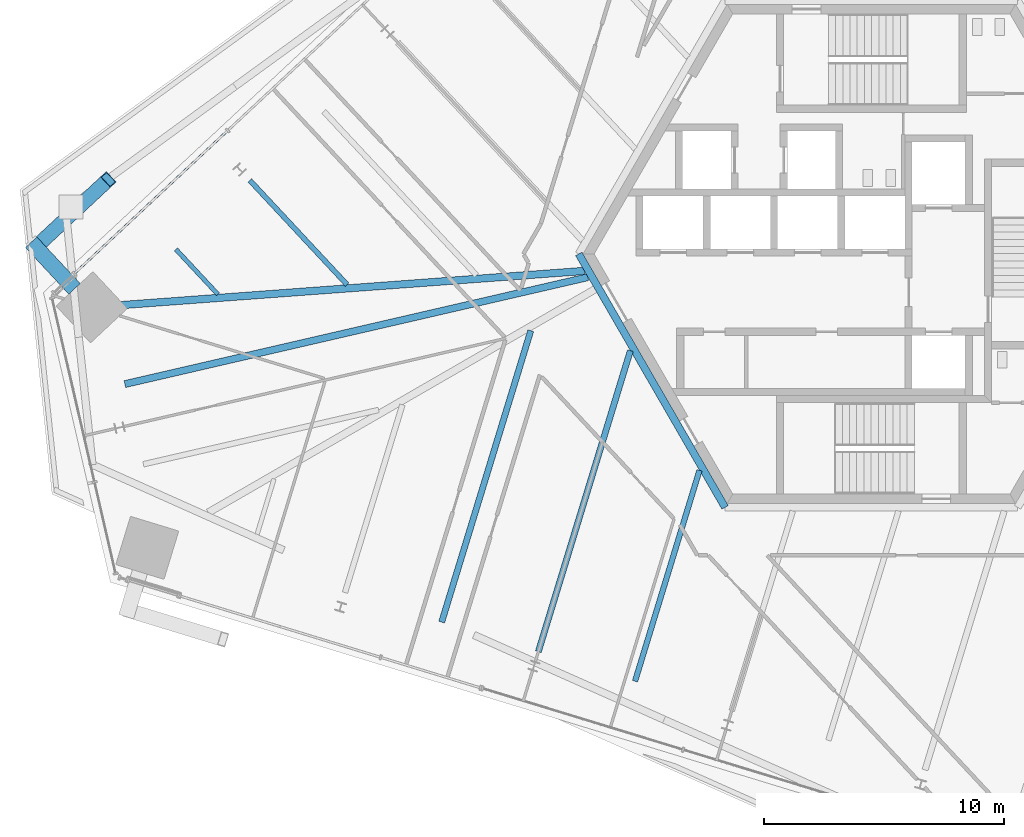
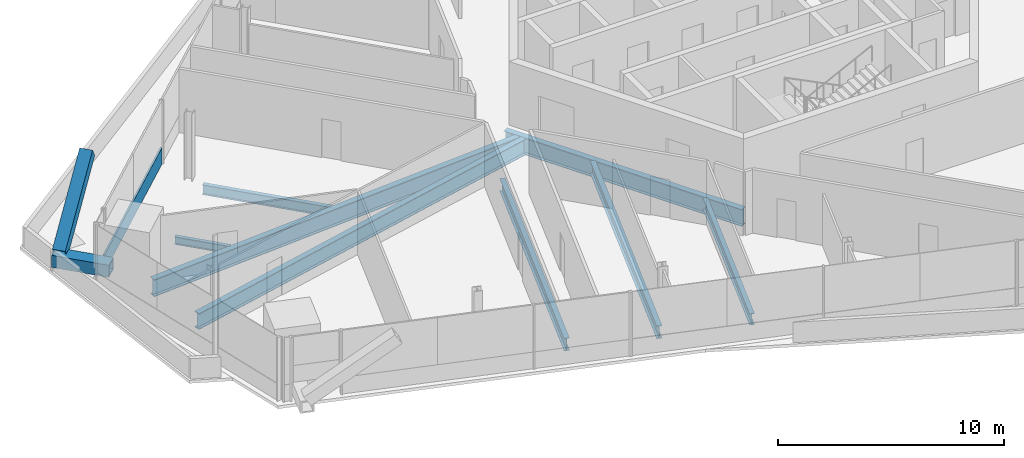
# One storey, part 5 of 25: 8 beams, 3 members, 1 element without a shape of its own.
"""IFC4 building model written with IfcOpenShell, lengths in metres."""

import ifcopenshell
import ifcopenshell.guid

model = None  # the IFC model being written
_history = None  # IfcOwnerHistory: only IFC2X3 demands one
_inside = {}  # id of a spatial element -> (the spatial element, [elements in it])
_under = {}  # id of a project, library or spatial element -> (it, [spatial elements below it])
_declared = {}  # id of a project -> (the project, [libraries it declares])
_typed = {}  # id of a type object -> (the type object, [elements of that type])
_made_of = {}  # id of a material, layer set ... -> (it, [elements and type objects made of it])


def new_model(schema):
    """Start an empty IFC model of exactly this schema.

    Asked for "IFC4X3", IfcOpenShell would pick the latest addendum, in which some entities
    have other attributes; the version numbers below select the first issue.
    IFC2X3 requires an IfcOwnerHistory on every rooted entity: one is made here for all.
    """
    global model, _history
    if schema == "IFC4X3":
        model = ifcopenshell.file(schema_version=(4, 3, 0, 0))
    else:
        model = ifcopenshell.file(schema=schema)
    _inside.clear()
    _under.clear()
    _declared.clear()
    _typed.clear()
    _made_of.clear()
    _history = None
    if model.schema == "IFC2X3":
        org = make("IfcOrganization", Name="unknown")
        user = make(
            "IfcPersonAndOrganization",
            ThePerson=make("IfcPerson", FamilyName="unknown"),
            TheOrganization=org,
        )
        app = make(
            "IfcApplication",
            ApplicationDeveloper=org,
            Version="unknown",
            ApplicationFullName="unknown",
            ApplicationIdentifier="unknown",
        )
        _history = make(
            "IfcOwnerHistory",
            OwningUser=user,
            OwningApplication=app,
            ChangeAction="ADDED",
            CreationDate=0,
        )
    return model


def make(cls, **values):
    """One entity of the class cls with the attributes given. An attribute that is None is left unset."""
    return model.create_entity(
        cls, **{name: value for name, value in values.items() if value is not None}
    )


def rooted(cls, **values):
    """An entity with a GlobalId (a new one), such as an element, a storey or a relation."""
    return make(cls, GlobalId=ifcopenshell.guid.new(), OwnerHistory=_history, **values)


def si_unit(unit_type, name, prefix=None):
    """IfcSIUnit, for example si_unit("LENGTHUNIT", "METRE", prefix="MILLI")."""
    return make("IfcSIUnit", UnitType=unit_type, Prefix=prefix, Name=name)


def assignment(units):
    """IfcUnitAssignment: the units of a project."""
    return None if units is None else make("IfcUnitAssignment", Units=units)


def point(xyz):
    """IfcCartesianPoint."""
    return None if xyz is None else make("IfcCartesianPoint", Coordinates=xyz)


def direction(xyz):
    """IfcDirection."""
    return None if xyz is None else make("IfcDirection", DirectionRatios=xyz)


def frame(location, z_axis=None, x_axis=None):
    """IfcAxis2Placement3D, a coordinate frame: its origin and axes. An axis left out is left unset."""
    return make(
        "IfcAxis2Placement3D",
        Location=point(location),
        Axis=direction(z_axis),
        RefDirection=direction(x_axis),
    )


def frame_2d(location, x_axis=None):
    """IfcAxis2Placement2D, a coordinate frame in the plane: its origin and x axis."""
    return make(
        "IfcAxis2Placement2D", Location=point(location), RefDirection=direction(x_axis)
    )


def origin():
    """The frame at (0, 0, 0) with its axes left unset."""
    return frame((0.0, 0.0, 0.0))


def origin_2d():
    """The frame at (0, 0) in the plane with its x axis left unset."""
    return frame_2d((0.0, 0.0))


def place(relative_to, where):
    """IfcLocalPlacement: puts the frame where relative to a parent placement (None: the world)."""
    return make(
        "IfcLocalPlacement", PlacementRelTo=relative_to, RelativePlacement=where
    )


def context(
    kind, dimensions, precision=None, world=None, true_north=None, identifier=None
):
    """IfcGeometricRepresentationContext, for example the 3D "Model" context."""
    return make(
        "IfcGeometricRepresentationContext",
        ContextIdentifier=identifier,
        ContextType=kind,
        CoordinateSpaceDimension=dimensions,
        Precision=precision,
        WorldCoordinateSystem=world,
        TrueNorth=true_north,
    )


def subcontext(parent, identifier, kind, view, scale=None):
    """IfcGeometricRepresentationSubContext, for example "Body" below "Model"."""
    return make(
        "IfcGeometricRepresentationSubContext",
        ContextIdentifier=identifier,
        ContextType=kind,
        ParentContext=parent,
        TargetScale=scale,
        TargetView=view,
    )


def project(units=None, contexts=None):
    """IfcProject with its units and contexts."""
    return rooted(
        "IfcProject",
        Name="project",
        RepresentationContexts=contexts,
        UnitsInContext=assignment(units),
    )


def spatial(cls, under=None, at=None, **own):
    """A site, building, storey or space (cls), placed at a placement, below another one or the project."""
    s = rooted(cls, ObjectPlacement=at, **own)
    if under is not None:
        _under.setdefault(under.id(), (under, []))[1].append(s)
    return s


def profile(cls, at=None, kind="AREA", **sizes):
    """A parametric profile (cls). Its sizes go by their IFC names, for example OverallWidth=200.0."""
    return make(cls, ProfileType=kind, Position=at, **sizes)


def rectangle(**sizes):
    """IfcRectangleProfileDef."""
    return profile("IfcRectangleProfileDef", **sizes)


def hollow_rectangle(**sizes):
    """IfcRectangleHollowProfileDef."""
    return profile("IfcRectangleHollowProfileDef", **sizes)


def i_section(**sizes):
    """IfcIShapeProfileDef."""
    return profile("IfcIShapeProfileDef", **sizes)


def extrude(swept, where, along, depth):
    """IfcExtrudedAreaSolid: the profile swept, set in the frame where, extruded along a direction by depth."""
    return make(
        "IfcExtrudedAreaSolid",
        SweptArea=swept,
        Position=where,
        ExtrudedDirection=direction(along),
        Depth=depth,
    )


def shape(context_of_items, identifier, shape_type, items):
    """IfcShapeRepresentation: the items that make up one representation, for example the "Body"."""
    return make(
        "IfcShapeRepresentation",
        ContextOfItems=context_of_items,
        RepresentationIdentifier=identifier,
        RepresentationType=shape_type,
        Items=items,
    )


def source(mapping_origin, context_of_items, identifier, shape_type, items):
    """IfcRepresentationMap: a shape defined once, which mapped items show again and again."""
    return make(
        "IfcRepresentationMap",
        MappingOrigin=mapping_origin,
        MappedRepresentation=shape(context_of_items, identifier, shape_type, items),
    )


def transform(
    local_origin,
    x_axis=None,
    y_axis=None,
    z_axis=None,
    scale=None,
    scale2=None,
    scale3=None,
    uniform=True,
):
    """IfcCartesianTransformationOperator3D, or its non-uniform kind. x_axis, y_axis, z_axis: its Axis1, 2, 3."""
    if uniform:
        return make(
            "IfcCartesianTransformationOperator3D",
            Axis1=direction(x_axis),
            Axis2=direction(y_axis),
            LocalOrigin=point(local_origin),
            Scale=scale,
            Axis3=direction(z_axis),
        )
    return make(
        "IfcCartesianTransformationOperator3DnonUniform",
        Axis1=direction(x_axis),
        Axis2=direction(y_axis),
        LocalOrigin=point(local_origin),
        Scale=scale,
        Axis3=direction(z_axis),
        Scale2=scale2,
        Scale3=scale3,
    )


def mapped(mapping_source, mapping_target):
    """IfcMappedItem: shows the shape of a source again, moved by a transform."""
    return make(
        "IfcMappedItem", MappingSource=mapping_source, MappingTarget=mapping_target
    )


def material(Name=None, Category=None):
    """IfcMaterial."""
    return make("IfcMaterial", Name=Name, Category=Category)


def material_profile(
    of_material, cross_section, Name=None, Category=None, Priority=None
):
    """IfcMaterialProfile: a cross section and its material."""
    return make(
        "IfcMaterialProfile",
        Name=Name,
        Material=of_material,
        Profile=cross_section,
        Priority=Priority,
        Category=Category,
    )


def profile_set(profiles, Name=None, composite=None):
    """IfcMaterialProfileSet."""
    return make(
        "IfcMaterialProfileSet",
        Name=Name,
        MaterialProfiles=profiles,
        CompositeProfile=composite,
    )


def made_of(thing, what):
    """Note that an element or type object is made of a material, layer set ...; save() writes the relation."""
    if what is not None:
        _made_of.setdefault(what.id(), (what, []))[1].append(thing)
    return thing


def type_object(cls, material=None, **own):
    """A type object (cls), such as IfcWallType, which elements share."""
    return made_of(rooted(cls, **own), material)


def element(
    cls,
    number,
    at=None,
    inside=None,
    cuts=None,
    type_object=None,
    material=None,
    context=None,
    identifier="Body",
    shape_type=None,
    held_by="IfcProductDefinitionShape",
    body=None,
    shapes=None,
    **own,
):
    """One element of the class cls, such as IfcWall. Its Tag is "e" and its number.

    at: its placement. inside: the storey or other place that contains it. cuts: it is an
    opening in that element (IfcRelVoidsElement). A single representation is given by context,
    identifier, shape_type and body (its items); several are given by shapes. held_by: the class
    of the entity that holds the representations. save() writes the other relations.
    """
    e = rooted(cls, Tag="e%d" % number, ObjectPlacement=at, **own)
    if body is not None:
        shapes = [shape(context, identifier, shape_type, body)]
    if shapes is not None:
        e.Representation = make(held_by, Representations=shapes)
    if inside is not None:
        _inside.setdefault(inside.id(), (inside, []))[1].append(e)
    if cuts is not None:
        rooted(
            "IfcRelVoidsElement", RelatingBuildingElement=cuts, RelatedOpeningElement=e
        )
    if type_object is not None:
        _typed.setdefault(type_object.id(), (type_object, []))[1].append(e)
    return made_of(e, material)


def aggregate(whole, parts):
    """IfcRelAggregates: a whole, such as a stair, and the parts it consists of."""
    return rooted("IfcRelAggregates", RelatingObject=whole, RelatedObjects=parts)


def save(model, path):
    """Write the relations noted so far, then the file.

    IfcRelAggregates (storeys below a building ...), IfcRelContainedInSpatialStructure (elements
    in a storey), IfcRelDefinesByType, IfcRelAssociatesMaterial and IfcRelDeclares: one each for
    every whole, place, type object, material and project.
    """
    for whole, parts in _under.values():
        aggregate(whole, parts)
    for where, things in _inside.values():
        rooted(
            "IfcRelContainedInSpatialStructure",
            RelatedElements=things,
            RelatingStructure=where,
        )
    for kind, things in _typed.values():
        rooted("IfcRelDefinesByType", RelatedObjects=things, RelatingType=kind)
    for what, things in _made_of.values():
        rooted("IfcRelAssociatesMaterial", RelatedObjects=things, RelatingMaterial=what)
    for by, libraries in _declared.values():
        rooted("IfcRelDeclares", RelatingContext=by, RelatedDefinitions=libraries)
    model.write(path)


model = new_model("IFC4")

# Units and contexts
model_context = context("Model", 3, precision=1e-05, world=origin(), true_north=direction((0.0, 1.0)))
body_context = subcontext(model_context, "Body", "Model", "MODEL_VIEW")
ifc_project = project(units=[si_unit("LENGTHUNIT", "METRE"), si_unit("AREAUNIT", "SQUARE_METRE"), si_unit("VOLUMEUNIT", "CUBIC_METRE"), si_unit("PLANEANGLEUNIT", "RADIAN"), si_unit("MASSUNIT", "GRAM", prefix="KILO")], contexts=[model_context])

# Site, building, storey
site_placement = place(None, origin())
site = spatial("IfcSite", under=ifc_project, at=site_placement, CompositionType="ELEMENT")
building_placement = place(site_placement, origin())
building = spatial("IfcBuilding", under=site, at=building_placement, Name="Triune Harvest Tower", CompositionType="ELEMENT")
storey_placement = place(building_placement, frame((0.0, 0.0, 98.300048828125)))
storey = spatial("IfcBuildingStorey", under=building, at=storey_placement, Name="L24", CompositionType="ELEMENT", Elevation=98.300048828125)

# Beams
ifc_material_1 = material(Name="Steel ASTM A992 Gr 50", Category="steel")
ifc_material_profile_1 = material_profile(ifc_material_1, i_section(OverallWidth=0.307373046875, OverallDepth=0.922119140625, WebThickness=0.018310546875, FlangeThickness=0.030029296875, at=origin_2d()), Name="W36x182")
ifc_profile_set_1 = profile_set([ifc_material_profile_1], Name="Steel ASTM A992 Gr 50")
beam_type_1 = type_object("IfcBeamType", Name="HG-2 Hip girder W36x182", PredefinedType="BEAM", material=ifc_profile_set_1)
beam_1_placement = place(storey_placement, frame((-31.451416015625, -2.1455078125, -0.62109375), z_axis=(0.997285605081, 0.073630305565, 0.0), x_axis=(-0.073630305565, 0.997285605081, 0.0)))
element("IfcBeam", 1, at=beam_1_placement, inside=storey, type_object=beam_type_1, Name="beam/L24/HG5", PredefinedType="BEAM", context=body_context, shape_type="SweptSolid", body=[
    extrude(i_section(OverallWidth=0.307373046875, OverallDepth=0.922119140625, WebThickness=0.018310546875, FlangeThickness=0.030029296875, at=origin_2d()), origin(), (0.0, 0.0, 1.0), 19.5595703125),
])
ifc_material_2 = material(Name="Steel ASTM A992 Gr 50", Category="steel")
ifc_material_profile_2 = material_profile(ifc_material_2, i_section(OverallWidth=0.180908203125, OverallDepth=0.41650390625, WebThickness=0.010986328125, FlangeThickness=0.01806640625, at=origin_2d()), Name="W16x57")
ifc_profile_set_2 = profile_set([ifc_material_profile_2], Name="Steel ASTM A992 Gr 50")
beam_type_2 = type_object("IfcBeamType", Name="JT-1 Floor joist W16x57", PredefinedType="JOIST", material=ifc_profile_set_2)
beam_2_placement = place(storey_placement, frame((-28.943359375, 0.193115234375, -0.368408203125), z_axis=(0.682001903783, -0.731350397031, 0.0), x_axis=(0.731350397031, 0.682001903783, 0.0)))
element("IfcBeam", 2, at=beam_2_placement, inside=storey, type_object=beam_type_2, Name="beam/L24/JT24", PredefinedType="JOIST", context=body_context, shape_type="SweptSolid", body=[
    extrude(i_section(OverallWidth=0.180908203125, OverallDepth=0.41650390625, WebThickness=0.010986328125, FlangeThickness=0.01806640625, at=origin_2d()), origin(), (0.0, 0.0, 1.0), 2.557861328125),
])
ifc_material_3 = material(Name="Steel ASTM A992 Gr 50", Category="steel")
ifc_material_profile_3 = material_profile(ifc_material_3, i_section(OverallWidth=0.22900390625, OverallDepth=0.612060546875, WebThickness=0.011962890625, FlangeThickness=0.01953125, at=origin_2d()), Name="W24x84")
ifc_profile_set_3 = profile_set([ifc_material_profile_3], Name="Steel ASTM A992 Gr 50")
beam_type_3 = type_object("IfcBeamType", Name="JT-3 Floor joist W24x84", PredefinedType="JOIST", material=ifc_profile_set_3)
beam_3_placement = place(storey_placement, frame((-9.8359375, -17.78173828125, -0.466064453125), z_axis=(0.292386142648, 0.956300341727, 0.0), x_axis=(-0.956300341727, 0.292386142648, 0.0)))
element("IfcBeam", 3, at=beam_3_placement, inside=storey, type_object=beam_type_3, Name="beam/L24/JT31", PredefinedType="JOIST", context=body_context, shape_type="SweptSolid", body=[
    extrude(i_section(OverallWidth=0.22900390625, OverallDepth=0.612060546875, WebThickness=0.011962890625, FlangeThickness=0.01953125, at=origin_2d()), origin(), (0.0, 0.0, 1.0), 9.177490234375),
])
ifc_material_4 = material(Name="Steel ASTM A992 Gr 50", Category="steel")
ifc_material_profile_4 = material_profile(ifc_material_4, i_section(OverallWidth=0.3046875, OverallDepth=0.914306640625, WebThickness=0.0166015625, FlangeThickness=0.02587890625, at=origin_2d()), Name="W36x160")
ifc_profile_set_4 = profile_set([ifc_material_profile_4], Name="Steel ASTM A992 Gr 50")
beam_type_4 = type_object("IfcBeamType", Name="CG-1 Core ring girder W36x160", PredefinedType="BEAM", material=ifc_profile_set_4)
shared_shape_1 = source(origin(), body_context, "Body", "SweptSolid", [
    extrude(i_section(OverallWidth=0.3046875, OverallDepth=0.914306640625, WebThickness=0.0166015625, FlangeThickness=0.02587890625, at=origin_2d()), origin(), (0.0, 0.0, 1.0), 12.176025390625),
])
beam_4_placement = place(storey_placement, frame((-12.176025390625, 0.0, -0.6171875), z_axis=(0.5000099932, -0.866019634131, 0.0), x_axis=(0.866019634131, 0.5000099932, 0.0)))
element("IfcBeam", 4, at=beam_4_placement, inside=storey, type_object=beam_type_4, Name="beam/L24/CG4", PredefinedType="BEAM", context=body_context, shape_type="MappedRepresentation", body=[
    mapped(shared_shape_1, transform((0.0, 0.0, 0.0), scale=1.0)),
])
ifc_material_5 = material(Name="Steel ASTM A992 Gr 50", Category="steel")
ifc_material_profile_5 = material_profile(ifc_material_5, i_section(OverallWidth=0.253662109375, OverallDepth=0.683349609375, WebThickness=0.012451171875, FlangeThickness=0.01904296875, at=origin_2d()), Name="W27x94")
ifc_profile_set_5 = profile_set([ifc_material_profile_5], Name="Steel ASTM A992 Gr 50")
beam_type_5 = type_object("IfcBeamType", Name="JT-4 Floor joist W27x94", PredefinedType="JOIST", material=ifc_profile_set_5)
shared_shape_2 = source(origin(), body_context, "Body", "SweptSolid", [
    extrude(i_section(OverallWidth=0.253662109375, OverallDepth=0.683349609375, WebThickness=0.012451171875, FlangeThickness=0.01904296875, at=origin_2d()), origin(), (0.0, 0.0, 1.0), 12.684814453125),
])
beam_5_placement = place(storey_placement, frame((-17.8828125, -15.32177734375, -0.501708984375), z_axis=(0.29237451443, 0.956303896945, 0.0), x_axis=(-0.956303896945, 0.29237451443, 0.0)))
element("IfcBeam", 5, at=beam_5_placement, inside=storey, type_object=beam_type_5, Name="beam/L24/JT29", PredefinedType="JOIST", context=body_context, shape_type="MappedRepresentation", body=[
    mapped(shared_shape_2, transform((0.0, 0.0, 0.0), scale=1.0)),
])
shared_shape_3 = source(origin(), body_context, "Body", "SweptSolid", [
    extrude(i_section(OverallWidth=0.253662109375, OverallDepth=0.683349609375, WebThickness=0.012451171875, FlangeThickness=0.01904296875, at=origin_2d()), origin(), (0.0, 0.0, 1.0), 13.100830078125),
])
beam_6_placement = place(storey_placement, frame((-13.859375, -16.5517578125, -0.501708984375), z_axis=(0.292373823974, 0.95630410804, 0.0), x_axis=(-0.95630410804, 0.292373823974, 0.0)))
element("IfcBeam", 6, at=beam_6_placement, inside=storey, type_object=beam_type_5, Name="beam/L24/JT30", PredefinedType="JOIST", context=body_context, shape_type="MappedRepresentation", body=[
    mapped(shared_shape_3, transform((0.0, 0.0, 0.0), scale=1.0)),
])
ifc_material_6 = material(Name="Steel ASTM A992 Gr 50", Category="steel")
ifc_material_profile_6 = material_profile(ifc_material_6, i_section(OverallWidth=0.2099609375, OverallDepth=0.535888671875, WebThickness=0.010986328125, FlangeThickness=0.017333984375, at=origin_2d()), Name="W21x68")
ifc_profile_set_6 = profile_set([ifc_material_profile_6], Name="Steel ASTM A992 Gr 50")
beam_type_6 = type_object("IfcBeamType", Name="JT-2 Floor joist W21x68", PredefinedType="JOIST", material=ifc_profile_set_6)
shared_shape_4 = source(origin(), body_context, "Body", "SweptSolid", [
    extrude(i_section(OverallWidth=0.2099609375, OverallDepth=0.535888671875, WebThickness=0.010986328125, FlangeThickness=0.017333984375, at=origin_2d()), origin(), (0.0, 0.0, 1.0), 5.937744140625),
])
beam_7_placement = place(storey_placement, frame((-25.866455078125, 3.0625, -0.427978515625), z_axis=(0.682006148965, -0.731346438273, 0.0), x_axis=(0.731346438273, 0.682006148965, 0.0)))
element("IfcBeam", 7, at=beam_7_placement, inside=storey, type_object=beam_type_6, Name="beam/L24/JT23", PredefinedType="JOIST", context=body_context, shape_type="MappedRepresentation", body=[
    mapped(shared_shape_4, transform((0.0, 0.0, 0.0), scale=1.0)),
])
ifc_material_7 = material(Name="Steel ASTM A992 Gr 50", Category="steel")
ifc_material_profile_7 = material_profile(ifc_material_7, i_section(OverallWidth=0.2919921875, OverallDepth=0.8583984375, WebThickness=0.01708984375, FlangeThickness=0.031005859375, at=origin_2d()), Name="W33x169")
ifc_profile_set_7 = profile_set([ifc_material_profile_7], Name="Steel ASTM A992 Gr 50")
beam_type_7 = type_object("IfcBeamType", Name="JT-7 Floor joist W33x169", PredefinedType="JOIST", material=ifc_profile_set_7)
shared_shape_5 = source(origin(), body_context, "Body", "SweptSolid", [
    extrude(i_section(OverallWidth=0.2919921875, OverallDepth=0.8583984375, WebThickness=0.01708984375, FlangeThickness=0.031005859375, at=origin_2d()), origin(), (0.0, 0.0, 1.0), 19.77978515625),
])
beam_8_placement = place(storey_placement, frame((-31.0673828125, -5.415283203125, -0.58935546875), z_axis=(0.974370597049, 0.224948748844, 0.0), x_axis=(-0.224948748844, 0.974370597049, 0.0)))
element("IfcBeam", 8, at=beam_8_placement, inside=storey, type_object=beam_type_7, Name="beam/L24/JT25", PredefinedType="JOIST", context=body_context, shape_type="MappedRepresentation", body=[
    mapped(shared_shape_5, transform((0.0, 0.0, 0.0), scale=1.0)),
])

# Members
ifc_material_8 = material(Name="Steel ASTM A572 Gr 50", Category="steel")
ifc_material_profile_8 = material_profile(ifc_material_8, hollow_rectangle(XDim=0.64990234375, YDim=0.64990234375, WallThickness=0.070068359375, at=origin_2d()), Name="Box 650x650x70")
ifc_profile_set_8 = profile_set([ifc_material_profile_8], Name="Steel ASTM A572 Gr 50")
member_type_1 = type_object("IfcMemberType", Name="BS-1 Brace stub Box 650x650x70", PredefinedType="STRUT", material=ifc_profile_set_8)
shared_shape_6 = source(origin(), body_context, "Body", "SweptSolid", [
    extrude(hollow_rectangle(XDim=0.64990234375, YDim=0.64990234375, WallThickness=0.070068359375, at=origin_2d()), origin(), (0.0, 0.0, 1.0), 2.648681640625),
])
member_1_placement = place(storey_placement, frame((-33.16259765625, -1.451171875, 0.599853515625), z_axis=(-0.681973354147, 0.731377019213, 0.0), x_axis=(-0.731377019213, -0.681973354147, 0.0)))
element("IfcMember", 9, at=member_1_placement, inside=storey, type_object=member_type_1, Name="brace/B3-F3/stub3", PredefinedType="STRUT", context=body_context, shape_type="MappedRepresentation", body=[
    mapped(shared_shape_6, transform((0.0, 0.0, 0.0), scale=1.0)),
])
ifc_material_9 = material(Name="Steel ASTM A572 Gr 50", Category="steel")
ifc_material_profile_9 = material_profile(ifc_material_9, hollow_rectangle(XDim=0.60009765625, YDim=0.60009765625, WallThickness=0.0400390625, at=origin_2d()), Name="Box 600x600x40")
ifc_profile_set_9 = profile_set([ifc_material_profile_9], Name="Steel ASTM A572 Gr 50")
member_type_2 = type_object("IfcMemberType", Name="BR-2 Brace Box 600x600x40", PredefinedType="BRACE", material=ifc_profile_set_9)
shared_shape_7 = source(origin(), body_context, "Body", "SweptSolid", [
    extrude(hollow_rectangle(XDim=0.60009765625, YDim=0.60009765625, WallThickness=0.0400390625, at=origin_2d()), origin(), (0.0, 0.0, 1.0), 4.94287109375),
])
member_2_placement = place(storey_placement, frame((-34.778076171875, 0.28125, 0.889892578125), z_axis=(0.61162364793, 0.570381158547, 0.548253451669), x_axis=(-0.682019388646, 0.731334091583, 0.0)))
element("IfcMember", 10, at=member_2_placement, inside=storey, type_object=member_type_2, Name="brace/B3-F3/d2/1", PredefinedType="BRACE", context=body_context, shape_type="MappedRepresentation", body=[
    mapped(shared_shape_7, transform((0.0, 0.0, 0.0), scale=1.0)),
])

# Curtain wall, member
ifc_material_10 = material(Name="Aluminium bronze anodised", Category="aluminium")
curtain_wall_type = type_object("IfcCurtainWallType", Name="CW-7 Tower stick curtain wall with insulated spandrel infill", PredefinedType="NOTDEFINED", material=ifc_material_10)
curtain_wall_placement = place(storey_placement, origin())
curtain_wall = element("IfcCurtainWall", 11, at=curtain_wall_placement, inside=storey, type_object=curtain_wall_type, Name="CW-7 B3-F3 L24 run 2201")
ifc_material_11 = material(Name="Aluminium bronze anodised", Category="aluminium")
ifc_material_profile_10 = material_profile(ifc_material_11, rectangle(XDim=0.090087890625, YDim=0.89990234375, at=origin_2d()), Name="TR-1 transom 90 x 900")
ifc_profile_set_10 = profile_set([ifc_material_profile_10], Name="Aluminium bronze anodised")
member_type_3 = type_object("IfcMemberType", Name="TR-1 transom 90 x 900", PredefinedType="USERDEFINED", material=ifc_profile_set_10)
shared_shape_8 = source(origin(), body_context, "Body", "SweptSolid", [
    extrude(rectangle(XDim=0.090087890625, YDim=0.89990234375, at=origin_2d()), origin(), (0.0, 0.0, 1.0), 8.660888671875),
])
member_3_placement = place(storey_placement, frame((-26.8115234375, 5.112060546875, 0.449951171875), z_axis=(-0.73135516259, -0.681996793359, 0.0), x_axis=(0.681996793359, -0.73135516259, 0.0)))
member_3 = element("IfcMember", 12, at=member_3_placement, type_object=member_type_3, Name="CW-7 transom B3-F3 2201.2", ObjectType="TRANSOM", PredefinedType="USERDEFINED", context=body_context, shape_type="MappedRepresentation", body=[
    mapped(shared_shape_8, transform((0.0, 0.0, 0.0), scale=1.0)),
])
aggregate(curtain_wall, [member_3])

save(model, "model.ifc")
